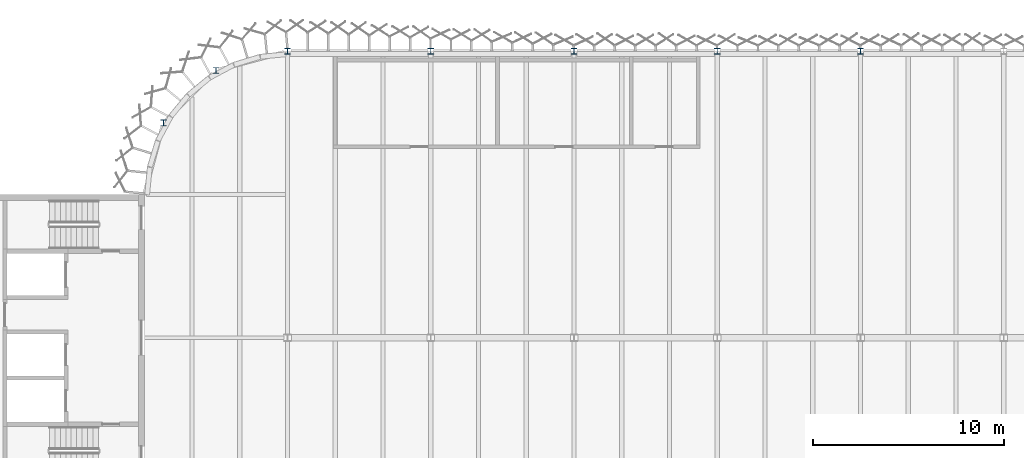
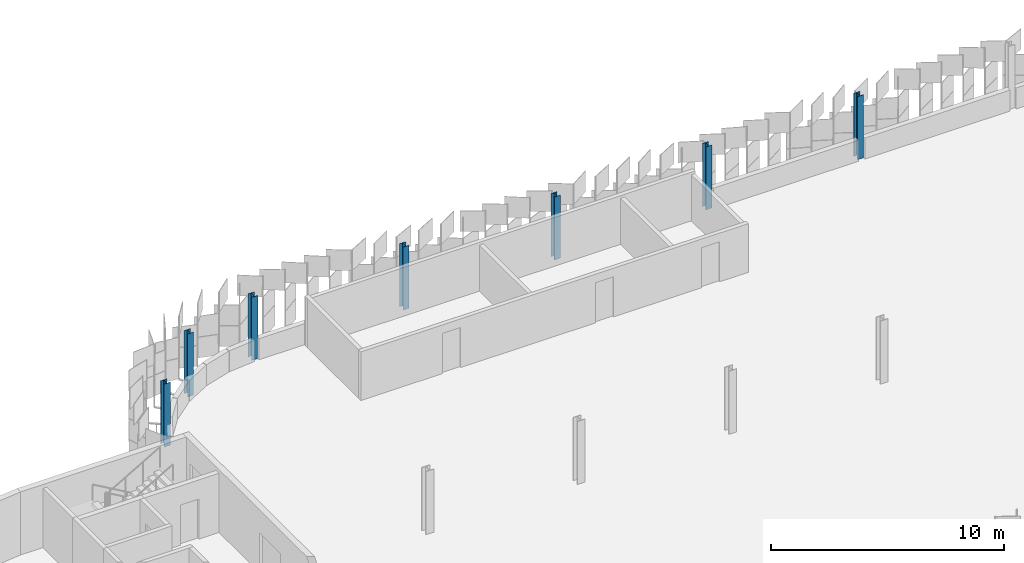
# One storey, part 24 of 198: 7 columns.
"""IFC4 building model written with IfcOpenShell, lengths in metres."""

from ifc_helpers import new_model, si_unit, direction, frame, origin, origin_2d, place, context, subcontext, project, spatial, i_section, extrude, material, material_profile, profile_set, type_object, element, save


model = new_model("IFC4")

# Units and contexts
model_context = context("Model", 3, precision=1e-05, world=origin(), true_north=direction((0.0, 1.0)))
body_context = subcontext(model_context, "Body", "Model", "MODEL_VIEW")
ifc_project = project(units=[si_unit("LENGTHUNIT", "METRE"), si_unit("AREAUNIT", "SQUARE_METRE"), si_unit("VOLUMEUNIT", "CUBIC_METRE"), si_unit("PLANEANGLEUNIT", "RADIAN"), si_unit("MASSUNIT", "GRAM", prefix="KILO")], contexts=[model_context])

# Site, building, storey
site_placement = place(None, origin())
site = spatial("IfcSite", under=ifc_project, at=site_placement, CompositionType="ELEMENT")
building_placement = place(site_placement, origin())
building = spatial("IfcBuilding", under=site, at=building_placement, Name="Parallax Yard Mobility Hub", CompositionType="ELEMENT")
storey_placement = place(building_placement, frame((0.0, 0.0, 6.60009765625)))
storey = spatial("IfcBuildingStorey", under=building, at=storey_placement, Name="L02", CompositionType="ELEMENT", Elevation=6.60009765625)

# Columns
ifc_material = material(Name="Steel ASTM A992", Category="steel")
ifc_material_profile_1 = material_profile(ifc_material, i_section(OverallWidth=0.306884765625, OverallDepth=0.318115234375, WebThickness=0.01318359375, FlangeThickness=0.0205078125, FilletRadius=0.01513671875, at=origin_2d()), Name="W310x129")
ifc_profile_set_1 = profile_set([ifc_material_profile_1], Name="Steel ASTM A992")
column_type_1 = type_object("IfcColumnType", Name="W310x129 column", PredefinedType="COLUMN", material=ifc_profile_set_1)
column_placement = place(storey_placement, frame((30.0, 142.5, 0.0), z_axis=(0.0, 0.0, 1.0), x_axis=(1.0, 0.0, 0.0)))
element("IfcColumn", 1, at=column_placement, inside=storey, type_object=column_type_1, Name="Column C3 level L02 at V/5 of ramped parking decks", PredefinedType="COLUMN", context=body_context, shape_type="SweptSolid", body=[
    extrude(i_section(OverallWidth=0.306884765625, OverallDepth=0.318115234375, WebThickness=0.01318359375, FlangeThickness=0.0205078125, FilletRadius=0.01513671875, at=origin_2d()), origin(), (0.0, 0.0, 1.0), 3.2998046875),
])
ifc_material_profile_2 = material_profile(ifc_material, i_section(OverallWidth=0.304931640625, OverallDepth=0.306884765625, WebThickness=0.010009765625, FlangeThickness=0.015380859375, FilletRadius=0.01513671875, at=origin_2d()), Name="W310x97")
ifc_profile_set_2 = profile_set([ifc_material_profile_2], Name="Steel ASTM A992")
column_type_2 = type_object("IfcColumnType", Name="W310x97 column", PredefinedType="COLUMN", material=ifc_profile_set_2)
for number, where, z_axis, x_axis, name in (
    (2, (37.5, 142.5, 0.0), (0.0, 0.0, 1.0), (1.0, 0.0, 0.0), "Column C1 level L02 at V/6 of ramped parking decks"),
    (3, (45.0, 142.5, 0.0), (0.0, 0.0, 1.0), (1.0, 0.0, 0.0), "Column C1 level L02 at V/7 of ramped parking decks"),
    (4, (52.5, 142.5, 0.0), (0.0, 0.0, 1.0), (1.0, 0.0, 0.0), "Column C1 level L02 at V/8 of ramped parking decks"),
    (5, (60.0, 142.5, 0.0), (0.0, 0.0, 1.0), (1.0, 0.0, 0.0), "Column C1 level L02 at V/9 of ramped parking decks"),
    (6, (26.25, 141.4951171875, 0.0), (0.0, 0.0, 1.0), (1.0, 0.0, 0.0), "Column C1 level L02 at W-N1 of ramped parking decks"),
    (7, (23.5048828125, 138.75, 0.0), (0.0, 0.0, 1.0), (1.0, 0.0, 0.0), "Column C1 level L02 at W-N2 of ramped parking decks"),
):
    element("IfcColumn", number, at=place(storey_placement, frame(where, z_axis=z_axis, x_axis=x_axis)), inside=storey, type_object=column_type_2, Name=name, PredefinedType="COLUMN", context=body_context, shape_type="SweptSolid", body=[
        extrude(i_section(OverallWidth=0.304931640625, OverallDepth=0.306884765625, WebThickness=0.010009765625, FlangeThickness=0.015380859375, FilletRadius=0.01513671875, at=origin_2d()), origin(), (0.0, 0.0, 1.0), 3.2998046875),
    ])

save(model, "model.ifc")
